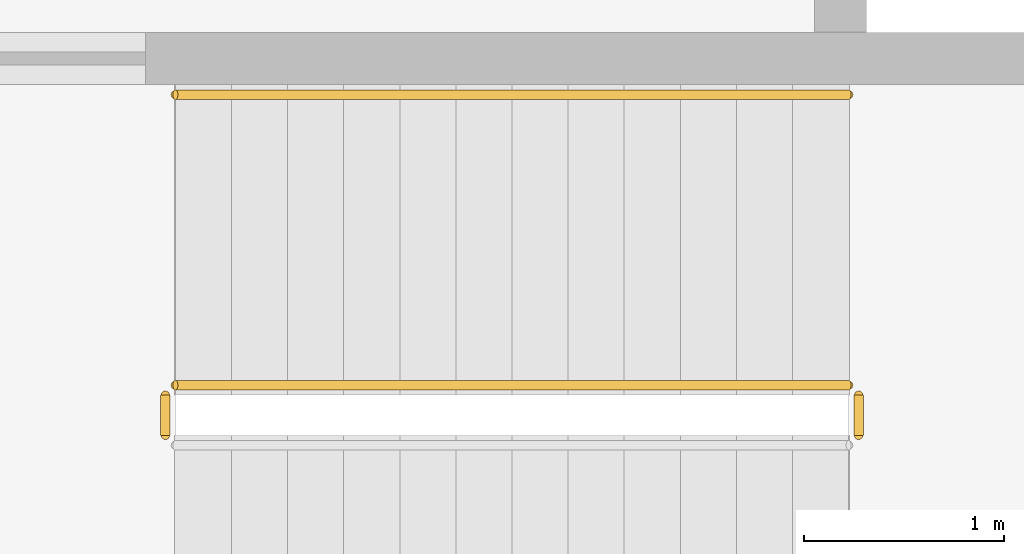
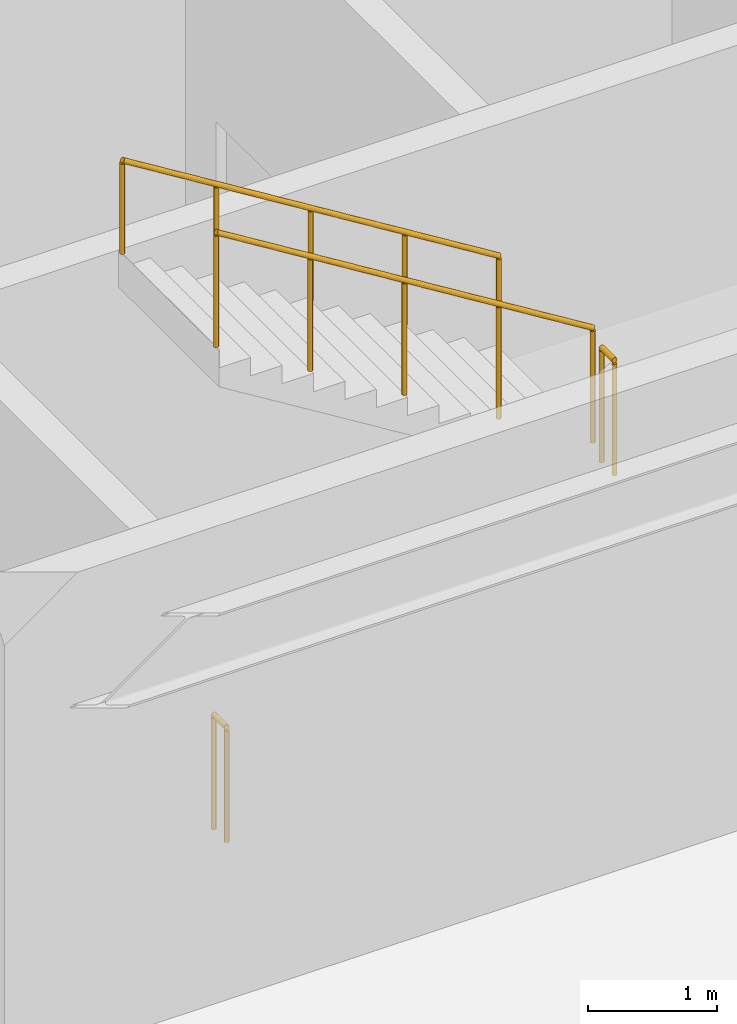
# One storey, part 54 of 55: 4 railings.
"""IFC4 building model written with IfcOpenShell, lengths in metres."""

from ifc_helpers import new_model, si_unit, direction, frame, origin, origin_2d, place, context, subcontext, project, spatial, circle, extrude, material, type_object, element, save


model = new_model("IFC4")

# Units and contexts
model_context = context("Model", 3, precision=1e-05, world=origin(), true_north=direction((0.0, 1.0)))
body_context = subcontext(model_context, "Body", "Model", "MODEL_VIEW")
ifc_project = project(units=[si_unit("LENGTHUNIT", "METRE"), si_unit("AREAUNIT", "SQUARE_METRE"), si_unit("VOLUMEUNIT", "CUBIC_METRE"), si_unit("PLANEANGLEUNIT", "RADIAN"), si_unit("MASSUNIT", "GRAM", prefix="KILO")], contexts=[model_context])

# Site, building, storey
site_placement = place(None, origin())
site = spatial("IfcSite", under=ifc_project, at=site_placement, CompositionType="ELEMENT")
building_placement = place(site_placement, origin())
building = spatial("IfcBuilding", under=site, at=building_placement, Name="Fikremerkos Civic Library", CompositionType="ELEMENT")
storey_placement = place(building_placement, frame((0.0, 0.0, 18.89990234375)))
storey = spatial("IfcBuildingStorey", under=building, at=storey_placement, Name="L04", CompositionType="ELEMENT", Elevation=18.89990234375)

# Railings
ifc_material_1 = material(Name="Painted Steel S275", Category="steel")
railing_type_1 = type_object("IfcRailingType", Name="Interior balustrade guard RLG-INT 1100", PredefinedType="BALUSTRADE", material=ifc_material_1)
railing_1_placement = place(storey_placement, frame((109.860107421875, 24.050048828125, 2.25)))
element("IfcRailing", 1, at=railing_1_placement, inside=storey, type_object=railing_type_1, Name="L04 ST-K2 stair guard 2", PredefinedType="BALUSTRADE", context=body_context, shape_type="SweptSolid", body=[
    extrude(circle(Radius=0.02392578125, at=origin_2d()), frame((0.0, 0.0, 1.076171875), z_axis=(0.0, 1.0, 0.0), x_axis=(-1.0, 0.0, 0.0)), (0.0, 0.0, 1.0), 0.199951171875),
    extrude(circle(Radius=0.02099609375, at=origin_2d()), origin(), (0.0, 0.0, 1.0), 1.052001953125),
    extrude(circle(Radius=0.02099609375, at=origin_2d()), frame((0.0, 0.199951171875, 0.0)), (0.0, 0.0, 1.0), 1.052001953125),
])
railing_2_placement = place(storey_placement, frame((109.81005859375, 24.300048828125, 2.423095703125)))
element("IfcRailing", 2, at=railing_2_placement, inside=storey, type_object=railing_type_1, Name="L04 ST-K2 stair guard 3", PredefinedType="BALUSTRADE", context=body_context, shape_type="SweptSolid", body=[
    extrude(circle(Radius=0.02392578125, at=origin_2d()), frame((0.0, 0.0, 1.076171875), z_axis=(-0.850623216509, 0.0, 0.525775754039), x_axis=(0.0, -1.0, 0.0)), (0.0, 0.0, 1.0), 3.9501953125),
    extrude(circle(Radius=0.02099609375, at=origin_2d()), origin(), (0.0, 0.0, 1.0), 1.052001953125),
    extrude(circle(Radius=0.02099609375, at=origin_2d()), frame((-0.840087890625, 0.0, 0.519287109375)), (0.0, 0.0, 1.0), 1.052001953125),
    extrude(circle(Radius=0.02099609375, at=origin_2d()), frame((-1.68017578125, 0.0, 1.03857421875)), (0.0, 0.0, 1.0), 1.052001953125),
    extrude(circle(Radius=0.02099609375, at=origin_2d()), frame((-2.52001953125, 0.0, 1.5576171875)), (0.0, 0.0, 1.0), 1.052001953125),
    extrude(circle(Radius=0.02099609375, at=origin_2d()), frame((-3.360107421875, 0.0, 2.076904296875)), (0.0, 0.0, 1.0), 1.052001953125),
])
railing_3_placement = place(storey_placement, frame((106.39990234375, 24.050048828125, 0.0)))
element("IfcRailing", 3, at=railing_3_placement, inside=storey, type_object=railing_type_1, Name="L04 ST-K2 stair guard 4", PredefinedType="BALUSTRADE", context=body_context, shape_type="SweptSolid", body=[
    extrude(circle(Radius=0.02392578125, at=origin_2d()), frame((0.0, 0.0, 1.076171875), z_axis=(0.0, 1.0, 0.0), x_axis=(-1.0, 0.0, 0.0)), (0.0, 0.0, 1.0), 0.199951171875),
    extrude(circle(Radius=0.02099609375, at=origin_2d()), origin(), (0.0, 0.0, 1.0), 1.052001953125),
    extrude(circle(Radius=0.02099609375, at=origin_2d()), frame((0.0, 0.199951171875, 0.0)), (0.0, 0.0, 1.0), 1.052001953125),
])
ifc_material_2 = material(Name="Brushed stainless steel", Category="steel")
railing_type_2 = type_object("IfcRailingType", Name="Wall and flight handrail HRL-01 900", PredefinedType="HANDRAIL", material=ifc_material_2)
railing_4_placement = place(storey_placement, frame((109.81005859375, 25.75, 2.423095703125)))
element("IfcRailing", 4, at=railing_4_placement, inside=storey, type_object=railing_type_2, Name="L04 ST-K2 stair handrail 2", PredefinedType="HANDRAIL", context=body_context, shape_type="SweptSolid", body=[
    extrude(circle(Radius=0.02392578125, at=origin_2d()), frame((0.0, 0.0, 0.8759765625), z_axis=(-0.850623216509, 0.0, 0.525775754039), x_axis=(0.0, -1.0, 0.0)), (0.0, 0.0, 1.0), 3.9501953125),
    extrude(circle(Radius=0.02099609375, at=origin_2d()), origin(), (0.0, 0.0, 1.0), 0.851806640625),
    extrude(circle(Radius=0.02099609375, at=origin_2d()), frame((-0.840087890625, 0.0, 0.519287109375)), (0.0, 0.0, 1.0), 0.851806640625),
    extrude(circle(Radius=0.02099609375, at=origin_2d()), frame((-1.68017578125, 0.0, 1.03857421875)), (0.0, 0.0, 1.0), 0.851806640625),
    extrude(circle(Radius=0.02099609375, at=origin_2d()), frame((-2.52001953125, 0.0, 1.5576171875)), (0.0, 0.0, 1.0), 0.851806640625),
    extrude(circle(Radius=0.02099609375, at=origin_2d()), frame((-3.360107421875, 0.0, 2.076904296875)), (0.0, 0.0, 1.0), 0.851806640625),
])

save(model, "model.ifc")
